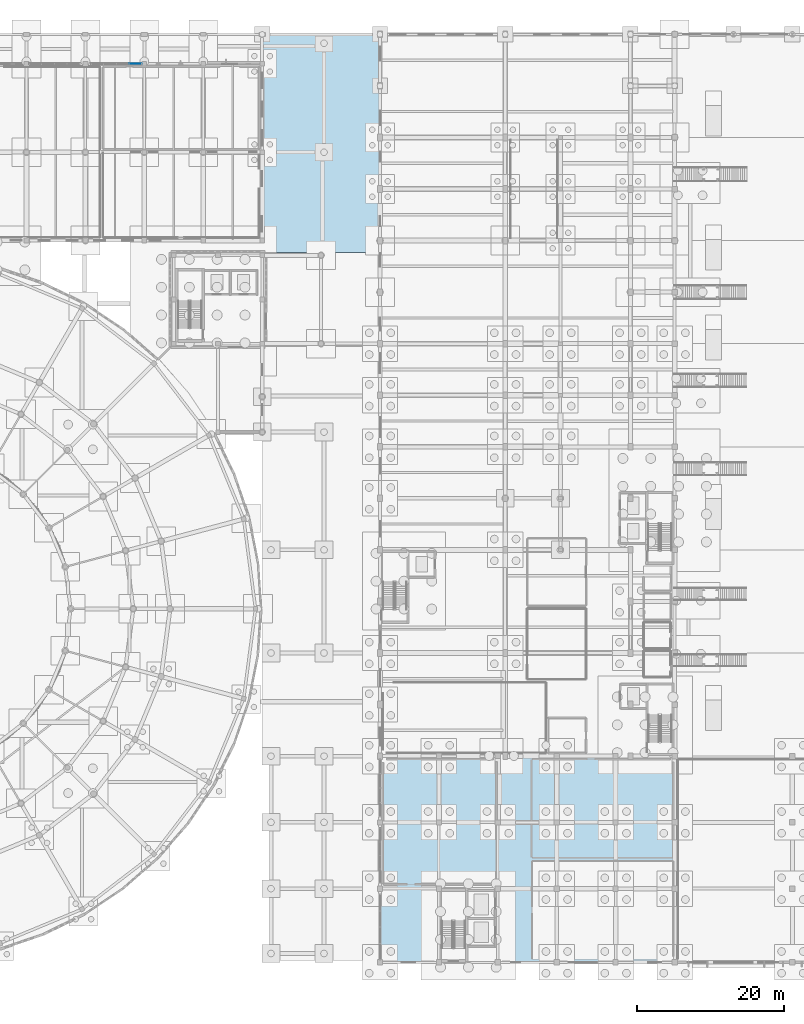
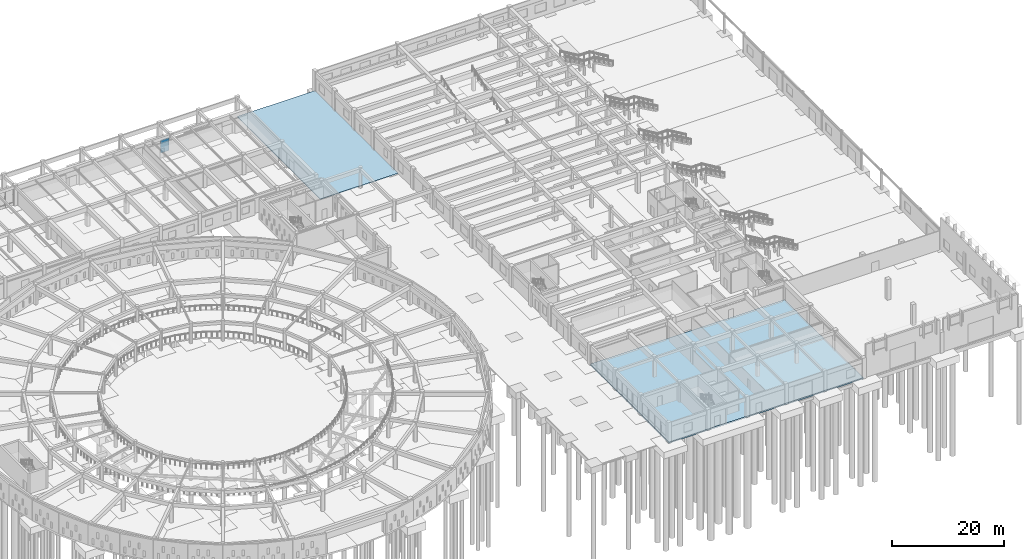
# One storey, part 39 of 84: 2 slabs, 1 plate, 1 element without a shape of its own.
"""IFC4 building model written with IfcOpenShell, lengths in metres."""

from ifc_helpers import new_model, si_unit, direction, frame, origin, origin_2d, place, context, subcontext, project, spatial, polyline, rectangle, outline, extrude, material, layer, layer_set, type_object, element, aggregate, save


model = new_model("IFC4")

# Units and contexts
model_context = context("Model", 3, precision=1e-05, world=origin(), true_north=direction((0.0, 1.0)))
body_context = subcontext(model_context, "Body", "Model", "MODEL_VIEW")
ifc_project = project(units=[si_unit("LENGTHUNIT", "METRE"), si_unit("AREAUNIT", "SQUARE_METRE"), si_unit("VOLUMEUNIT", "CUBIC_METRE"), si_unit("PLANEANGLEUNIT", "RADIAN"), si_unit("MASSUNIT", "GRAM", prefix="KILO")], contexts=[model_context])

# Site, building, storey
site_placement = place(None, origin())
site = spatial("IfcSite", under=ifc_project, at=site_placement, CompositionType="ELEMENT")
building_placement = place(site_placement, origin())
building = spatial("IfcBuilding", under=site, at=building_placement, Name="Larkveld Mobility Hub", CompositionType="ELEMENT")
storey_placement = place(building_placement, origin())
storey = spatial("IfcBuildingStorey", under=building, at=storey_placement, Name="L00", CompositionType="ELEMENT", Elevation=0.0)

# Curtain wall, plate
ifc_material_1 = material(Name="Anodised aluminium 6063-T6", Category="aluminium")
curtain_wall_type = type_object("IfcCurtainWallType", Name="CW-SYS-12", PredefinedType="NOTDEFINED", material=ifc_material_1)
curtain_wall_placement = place(storey_placement, origin())
curtain_wall = element("IfcCurtainWall", 1, at=curtain_wall_placement, inside=storey, type_object=curtain_wall_type, Name="Bicycle Hall North Curtain Wall L00 CW-072", PredefinedType="NOTDEFINED")
ifc_material_2 = material(Name="Tinted safety double glazing", Category="glass")
ifc_layer_1 = layer(ifc_material_2, 0.035888671875, Name="Tinted safety double glazing", Category="glass")
ifc_layer_set_1 = layer_set([ifc_layer_1], Name="Tinted safety double glazing")
plate_type = type_object("IfcPlateType", Name="CW-PNL-GL03", PredefinedType="CURTAIN_PANEL", material=ifc_layer_set_1)
plate_placement = place(storey_placement, frame((78.779052734375, 122.0, 0.75), z_axis=(0.0, 0.0, 1.0), x_axis=(-1.0, 0.0, 0.0)))
plate = element("IfcPlate", 2, at=plate_placement, type_object=plate_type, Name="CW12 panel 1", PredefinedType="CURTAIN_PANEL", context=body_context, shape_type="SweptSolid", body=[
    extrude(rectangle(XDim=1.69091796875, YDim=0.035888671875, at=origin_2d()), origin(), (0.0, 0.0, 1.0), 2.827880859375),
])
aggregate(curtain_wall, [plate])

# Slabs
ifc_material_3 = material(Name="Concrete C40/50", Category="concrete")
ifc_layer_2 = layer(ifc_material_3, 0.300048828125, Name="Concrete C40/50", Category="concrete")
ifc_layer_set_2 = layer_set([ifc_layer_2], Name="Concrete C40/50")
slab_type_1 = type_object("IfcSlabType", Name="SL-BS-300", PredefinedType="BASESLAB", material=ifc_layer_set_2)
slab_1_placement = place(storey_placement, frame((0.0, 0.0, -0.300048828125)))
element("IfcSlab", 3, at=slab_1_placement, inside=storey, type_object=slab_type_1, Name="Service Centre Slab L00-120", PredefinedType="BASESLAB", context=body_context, shape_type="SweptSolid", body=[
    extrude(outline(polyline([(112.0, 0.0), (152.0, 0.0), (152.0, 28.0), (112.0, 28.0), (112.0, 0.0)])), origin(), (0.0, 0.0, 1.0), 0.300048828125),
])
ifc_material_4 = material(Name="Precast concrete C40/50", Category="concrete")
ifc_layer_3 = layer(ifc_material_4, 0.14990234375, Name="Precast concrete C40/50", Category="concrete")
ifc_layer_set_3 = layer_set([ifc_layer_3], Name="Precast concrete C40/50")
slab_type_2 = type_object("IfcSlabType", Name="SL-PAV-150", PredefinedType="USERDEFINED", material=ifc_layer_set_3)
slab_2_placement = place(storey_placement, frame((0.0, 0.0, -0.14990234375)))
element("IfcSlab", 4, at=slab_2_placement, inside=storey, type_object=slab_type_2, Name="Cross-Block North Passage Paving L00-004", ObjectType="PAVING", PredefinedType="USERDEFINED", context=body_context, shape_type="SweptSolid", body=[
    extrude(outline(polyline([(96.0, 96.389892578125), (112.0, 96.389892578125), (112.0, 126.0), (96.0, 126.0), (96.0, 96.389892578125)])), origin(), (0.0, 0.0, 1.0), 0.14990234375),
])

save(model, "model.ifc")
